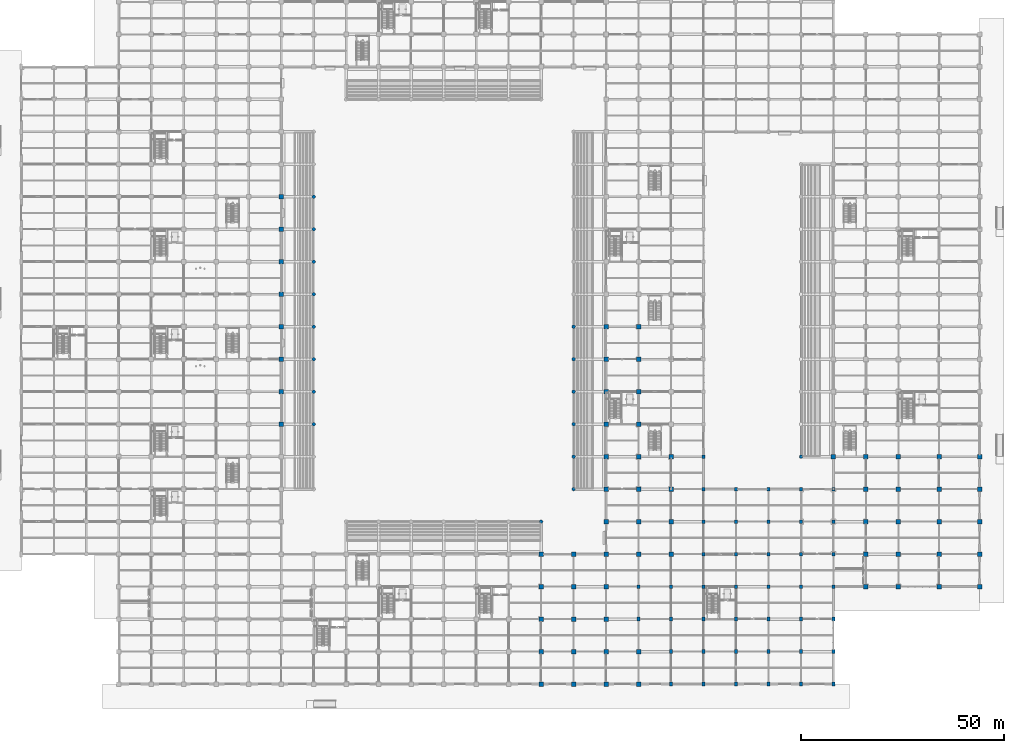
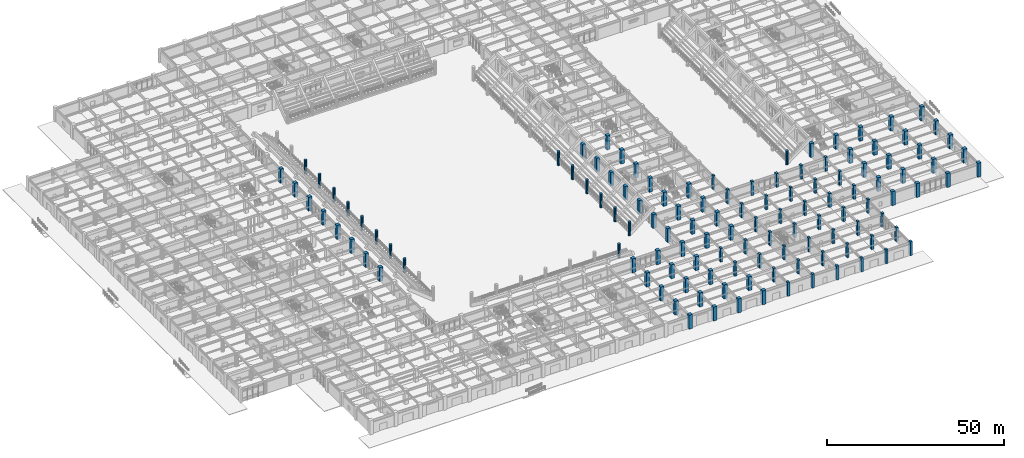
# One storey, part 10 of 125: 123 columns.
"""IFC4 building model written with IfcOpenShell, lengths in metres."""

from ifc_helpers import new_model, si_unit, direction, frame, origin, origin_2d, place, context, subcontext, project, spatial, rectangle, circle, extrude, material, material_profile, profile_set, type_object, element, save


model = new_model("IFC4")

# Units and contexts
model_context = context("Model", 3, precision=1e-05, world=origin(), true_north=direction((0.0, 1.0)))
body_context = subcontext(model_context, "Body", "Model", "MODEL_VIEW")
ifc_project = project(units=[si_unit("LENGTHUNIT", "METRE"), si_unit("AREAUNIT", "SQUARE_METRE"), si_unit("VOLUMEUNIT", "CUBIC_METRE"), si_unit("PLANEANGLEUNIT", "RADIAN"), si_unit("MASSUNIT", "GRAM", prefix="KILO")], contexts=[model_context])

# Site, building, storey
site_placement = place(None, origin())
site = spatial("IfcSite", under=ifc_project, at=site_placement, CompositionType="ELEMENT")
building_placement = place(site_placement, origin())
building = spatial("IfcBuilding", under=site, at=building_placement, Name="Haebicheon Civic Stadium", CompositionType="ELEMENT")
storey_placement = place(building_placement, origin())
storey = spatial("IfcBuildingStorey", under=building, at=storey_placement, Name="L01", CompositionType="ELEMENT", Elevation=0.0)

# Columns
ifc_material_1 = material(Name="Concrete C40/50", Category="concrete")
ifc_material_profile_1 = material_profile(ifc_material_1, rectangle(XDim=1.10009765625, YDim=1.10009765625, at=origin_2d()), Name="RC-COL-1100x1100")
ifc_profile_set_1 = profile_set([ifc_material_profile_1], Name="Concrete C40/50")
column_type_1 = type_object("IfcColumnType", Name="COL-RC-1100", PredefinedType="COLUMN", material=ifc_profile_set_1)
for number, where, z_axis, x_axis, name in (
    (1, (64.0, 64.0, 0.0), (0.0, 0.0, 1.0), (1.0, 0.0, 0.0), "L01 column 9/J"),
    (2, (64.0, 72.0, 0.0), (0.0, 0.0, 1.0), (1.0, 0.0, 0.0), "L01 column 9/K"),
    (3, (64.0, 80.0, 0.0), (0.0, 0.0, 1.0), (1.0, 0.0, 0.0), "L01 column 9/L"),
    (4, (64.0, 88.0, 0.0), (0.0, 0.0, 1.0), (1.0, 0.0, 0.0), "L01 column 9/M"),
    (5, (64.0, 96.0, 0.0), (0.0, 0.0, 1.0), (1.0, 0.0, 0.0), "L01 column 9/N"),
    (6, (64.0, 104.0, 0.0), (0.0, 0.0, 1.0), (1.0, 0.0, 0.0), "L01 column 9/P"),
    (7, (64.0, 112.0, 0.0), (0.0, 0.0, 1.0), (1.0, 0.0, 0.0), "L01 column 9/Q"),
    (8, (64.0, 120.0, 0.0), (0.0, 0.0, 1.0), (1.0, 0.0, 0.0), "L01 column 9/R"),
    (9, (128.0, 0.0, 0.0), (0.0, 0.0, 1.0), (1.0, 0.0, 0.0), "L01 column 17/A"),
    (10, (128.0, 8.0, 0.0), (0.0, 0.0, 1.0), (1.0, 0.0, 0.0), "L01 column 17/B"),
    (11, (128.0, 16.0, 0.0), (0.0, 0.0, 1.0), (1.0, 0.0, 0.0), "L01 column 17/C"),
    (12, (128.0, 24.0, 0.0), (0.0, 0.0, 1.0), (1.0, 0.0, 0.0), "L01 column 17/D"),
    (13, (128.0, 32.0, 0.0), (0.0, 0.0, 1.0), (1.0, 0.0, 0.0), "L01 column 17/E"),
    (14, (136.0, 0.0, 0.0), (0.0, 0.0, 1.0), (1.0, 0.0, 0.0), "L01 column 18/A"),
    (15, (136.0, 8.0, 0.0), (0.0, 0.0, 1.0), (1.0, 0.0, 0.0), "L01 column 18/B"),
    (16, (136.0, 16.0, 0.0), (0.0, 0.0, 1.0), (1.0, 0.0, 0.0), "L01 column 18/C"),
    (17, (136.0, 24.0, 0.0), (0.0, 0.0, 1.0), (1.0, 0.0, 0.0), "L01 column 18/D"),
    (18, (136.0, 32.0, 0.0), (0.0, 0.0, 1.0), (1.0, 0.0, 0.0), "L01 column 18/E"),
    (19, (144.0, 0.0, 0.0), (0.0, 0.0, 1.0), (1.0, 0.0, 0.0), "L01 column 19/A"),
    (20, (144.0, 8.0, 0.0), (0.0, 0.0, 1.0), (1.0, 0.0, 0.0), "L01 column 19/B"),
    (21, (144.0, 16.0, 0.0), (0.0, 0.0, 1.0), (1.0, 0.0, 0.0), "L01 column 19/C"),
    (22, (144.0, 24.0, 0.0), (0.0, 0.0, 1.0), (1.0, 0.0, 0.0), "L01 column 19/D"),
    (23, (144.0, 32.0, 0.0), (0.0, 0.0, 1.0), (1.0, 0.0, 0.0), "L01 column 19/E"),
    (24, (144.0, 40.0, 0.0), (0.0, 0.0, 1.0), (1.0, 0.0, 0.0), "L01 column 19/F"),
    (25, (144.0, 48.0, 0.0), (0.0, 0.0, 1.0), (1.0, 0.0, 0.0), "L01 column 19/G"),
    (26, (144.0, 56.0, 0.0), (0.0, 0.0, 1.0), (1.0, 0.0, 0.0), "L01 column 19/H"),
    (27, (144.0, 64.0, 0.0), (0.0, 0.0, 1.0), (1.0, 0.0, 0.0), "L01 column 19/J"),
    (28, (144.0, 72.0, 0.0), (0.0, 0.0, 1.0), (1.0, 0.0, 0.0), "L01 column 19/K"),
    (29, (144.0, 80.0, 0.0), (0.0, 0.0, 1.0), (1.0, 0.0, 0.0), "L01 column 19/L"),
    (30, (144.0, 88.0, 0.0), (0.0, 0.0, 1.0), (1.0, 0.0, 0.0), "L01 column 19/M"),
    (31, (152.0, 0.0, 0.0), (0.0, 0.0, 1.0), (1.0, 0.0, 0.0), "L01 column 20/A"),
    (32, (152.0, 8.0, 0.0), (0.0, 0.0, 1.0), (1.0, 0.0, 0.0), "L01 column 20/B"),
    (33, (152.0, 32.0, 0.0), (0.0, 0.0, 1.0), (1.0, 0.0, 0.0), "L01 column 20/E"),
    (34, (152.0, 40.0, 0.0), (0.0, 0.0, 1.0), (1.0, 0.0, 0.0), "L01 column 20/F"),
    (35, (152.0, 48.0, 0.0), (0.0, 0.0, 1.0), (1.0, 0.0, 0.0), "L01 column 20/G"),
    (36, (152.0, 56.0, 0.0), (0.0, 0.0, 1.0), (1.0, 0.0, 0.0), "L01 column 20/H"),
    (37, (152.0, 64.0, 0.0), (0.0, 0.0, 1.0), (1.0, 0.0, 0.0), "L01 column 20/J"),
    (38, (152.0, 72.0, 0.0), (0.0, 0.0, 1.0), (1.0, 0.0, 0.0), "L01 column 20/K"),
    (39, (152.0, 80.0, 0.0), (0.0, 0.0, 1.0), (1.0, 0.0, 0.0), "L01 column 20/L"),
    (40, (152.0, 88.0, 0.0), (0.0, 0.0, 1.0), (1.0, 0.0, 0.0), "L01 column 20/M"),
    (41, (160.0, 32.0, 0.0), (0.0, 0.0, 1.0), (1.0, 0.0, 0.0), "L01 column 21/E"),
    (42, (160.0, 40.0, 0.0), (0.0, 0.0, 1.0), (1.0, 0.0, 0.0), "L01 column 21/F"),
    (43, (160.0, 48.0, 0.0), (0.0, 0.0, 1.0), (1.0, 0.0, 0.0), "L01 column 21/G"),
    (44, (160.0, 56.0, 0.0), (0.0, 0.0, 1.0), (1.0, 0.0, 0.0), "L01 column 21/H"),
    (45, (200.0, 56.0, 0.0), (0.0, 0.0, 1.0), (1.0, 0.0, 0.0), "L01 column 26/H"),
    (46, (208.0, 24.0, 0.0), (0.0, 0.0, 1.0), (1.0, 0.0, 0.0), "L01 column 27/D"),
    (47, (208.0, 32.0, 0.0), (0.0, 0.0, 1.0), (1.0, 0.0, 0.0), "L01 column 27/E"),
    (48, (208.0, 40.0, 0.0), (0.0, 0.0, 1.0), (1.0, 0.0, 0.0), "L01 column 27/F"),
    (49, (208.0, 48.0, 0.0), (0.0, 0.0, 1.0), (1.0, 0.0, 0.0), "L01 column 27/G"),
    (50, (208.0, 56.0, 0.0), (0.0, 0.0, 1.0), (1.0, 0.0, 0.0), "L01 column 27/H"),
    (51, (216.0, 24.0, 0.0), (0.0, 0.0, 1.0), (1.0, 0.0, 0.0), "L01 column 28/D"),
    (52, (216.0, 32.0, 0.0), (0.0, 0.0, 1.0), (1.0, 0.0, 0.0), "L01 column 28/E"),
    (53, (216.0, 40.0, 0.0), (0.0, 0.0, 1.0), (1.0, 0.0, 0.0), "L01 column 28/F"),
    (54, (216.0, 48.0, 0.0), (0.0, 0.0, 1.0), (1.0, 0.0, 0.0), "L01 column 28/G"),
    (55, (216.0, 56.0, 0.0), (0.0, 0.0, 1.0), (1.0, 0.0, 0.0), "L01 column 28/H"),
    (56, (226.0, 24.0, 0.0), (0.0, 0.0, 1.0), (1.0, 0.0, 0.0), "L01 column 29/D"),
    (57, (226.0, 32.0, 0.0), (0.0, 0.0, 1.0), (1.0, 0.0, 0.0), "L01 column 29/E"),
    (58, (226.0, 40.0, 0.0), (0.0, 0.0, 1.0), (1.0, 0.0, 0.0), "L01 column 29/F"),
    (59, (226.0, 48.0, 0.0), (0.0, 0.0, 1.0), (1.0, 0.0, 0.0), "L01 column 29/G"),
    (60, (226.0, 56.0, 0.0), (0.0, 0.0, 1.0), (1.0, 0.0, 0.0), "L01 column 29/H"),
    (61, (236.0, 24.0, 0.0), (0.0, 0.0, 1.0), (1.0, 0.0, 0.0), "L01 column 30/D"),
    (62, (236.0, 32.0, 0.0), (0.0, 0.0, 1.0), (1.0, 0.0, 0.0), "L01 column 30/E"),
    (63, (236.0, 40.0, 0.0), (0.0, 0.0, 1.0), (1.0, 0.0, 0.0), "L01 column 30/F"),
    (64, (236.0, 48.0, 0.0), (0.0, 0.0, 1.0), (1.0, 0.0, 0.0), "L01 column 30/G"),
    (65, (236.0, 56.0, 0.0), (0.0, 0.0, 1.0), (1.0, 0.0, 0.0), "L01 column 30/H"),
):
    element("IfcColumn", number, at=place(storey_placement, frame(where, z_axis=z_axis, x_axis=x_axis)), inside=storey, type_object=column_type_1, material=ifc_profile_set_1, Name=name, PredefinedType="COLUMN", context=body_context, shape_type="SweptSolid", body=[
        extrude(rectangle(XDim=1.10009765625, YDim=1.10009765625, at=origin_2d()), origin(), (0.0, 0.0, 1.0), 4.800048828125),
    ])
ifc_material_2 = material(Name="Concrete C40/50", Category="concrete")
ifc_material_profile_2 = material_profile(ifc_material_2, rectangle(XDim=0.699951171875, YDim=0.89990234375, at=origin_2d()), Name="RC-COL-900x700")
ifc_profile_set_2 = profile_set([ifc_material_profile_2], Name="Concrete C40/50")
column_type_2 = type_object("IfcColumnType", Name="COL-RC-900x700", PredefinedType="COLUMN", material=ifc_profile_set_2)
for number, where, z_axis, x_axis, name in (
    (66, (152.0, 16.0, 0.0), (0.0, 0.0, 1.0), (1.0, 0.0, 0.0), "L01 column 20/C"),
    (67, (152.0, 24.0, 0.0), (0.0, 0.0, 1.0), (1.0, 0.0, 0.0), "L01 column 20/D"),
    (68, (160.0, 0.0, 0.0), (0.0, 0.0, 1.0), (1.0, 0.0, 0.0), "L01 column 21/A"),
    (69, (160.0, 8.0, 0.0), (0.0, 0.0, 1.0), (1.0, 0.0, 0.0), "L01 column 21/B"),
    (70, (160.0, 16.0, 0.0), (0.0, 0.0, 1.0), (1.0, 0.0, 0.0), "L01 column 21/C"),
    (71, (160.0, 24.0, 0.0), (0.0, 0.0, 1.0), (1.0, 0.0, 0.0), "L01 column 21/D"),
    (72, (168.0, 0.0, 0.0), (0.0, 0.0, 1.0), (1.0, 0.0, 0.0), "L01 column 22/A"),
    (73, (168.0, 8.0, 0.0), (0.0, 0.0, 1.0), (1.0, 0.0, 0.0), "L01 column 22/B"),
    (74, (168.0, 16.0, 0.0), (0.0, 0.0, 1.0), (1.0, 0.0, 0.0), "L01 column 22/C"),
    (75, (168.0, 24.0, 0.0), (0.0, 0.0, 1.0), (1.0, 0.0, 0.0), "L01 column 22/D"),
    (76, (168.0, 32.0, 0.0), (0.0, 0.0, 1.0), (1.0, 0.0, 0.0), "L01 column 22/E"),
    (77, (168.0, 40.0, 0.0), (0.0, 0.0, 1.0), (1.0, 0.0, 0.0), "L01 column 22/F"),
    (78, (168.0, 48.0, 0.0), (0.0, 0.0, 1.0), (1.0, 0.0, 0.0), "L01 column 22/G"),
    (79, (168.0, 56.0, 0.0), (0.0, 0.0, 1.0), (1.0, 0.0, 0.0), "L01 column 22/H"),
    (80, (176.0, 0.0, 0.0), (0.0, 0.0, 1.0), (1.0, 0.0, 0.0), "L01 column 23/A"),
    (81, (176.0, 8.0, 0.0), (0.0, 0.0, 1.0), (1.0, 0.0, 0.0), "L01 column 23/B"),
    (82, (176.0, 16.0, 0.0), (0.0, 0.0, 1.0), (1.0, 0.0, 0.0), "L01 column 23/C"),
    (83, (176.0, 24.0, 0.0), (0.0, 0.0, 1.0), (1.0, 0.0, 0.0), "L01 column 23/D"),
    (84, (176.0, 32.0, 0.0), (0.0, 0.0, 1.0), (1.0, 0.0, 0.0), "L01 column 23/E"),
    (85, (176.0, 40.0, 0.0), (0.0, 0.0, 1.0), (1.0, 0.0, 0.0), "L01 column 23/F"),
    (86, (176.0, 48.0, 0.0), (0.0, 0.0, 1.0), (1.0, 0.0, 0.0), "L01 column 23/G"),
    (87, (184.0, 0.0, 0.0), (0.0, 0.0, 1.0), (1.0, 0.0, 0.0), "L01 column 24/A"),
    (88, (184.0, 8.0, 0.0), (0.0, 0.0, 1.0), (1.0, 0.0, 0.0), "L01 column 24/B"),
    (89, (184.0, 16.0, 0.0), (0.0, 0.0, 1.0), (1.0, 0.0, 0.0), "L01 column 24/C"),
    (90, (184.0, 24.0, 0.0), (0.0, 0.0, 1.0), (1.0, 0.0, 0.0), "L01 column 24/D"),
    (91, (184.0, 32.0, 0.0), (0.0, 0.0, 1.0), (1.0, 0.0, 0.0), "L01 column 24/E"),
    (92, (184.0, 40.0, 0.0), (0.0, 0.0, 1.0), (1.0, 0.0, 0.0), "L01 column 24/F"),
    (93, (184.0, 48.0, 0.0), (0.0, 0.0, 1.0), (1.0, 0.0, 0.0), "L01 column 24/G"),
    (94, (192.0, 0.0, 0.0), (0.0, 0.0, 1.0), (1.0, 0.0, 0.0), "L01 column 25/A"),
    (95, (192.0, 8.0, 0.0), (0.0, 0.0, 1.0), (1.0, 0.0, 0.0), "L01 column 25/B"),
    (96, (192.0, 16.0, 0.0), (0.0, 0.0, 1.0), (1.0, 0.0, 0.0), "L01 column 25/C"),
    (97, (192.0, 24.0, 0.0), (0.0, 0.0, 1.0), (1.0, 0.0, 0.0), "L01 column 25/D"),
    (98, (192.0, 32.0, 0.0), (0.0, 0.0, 1.0), (1.0, 0.0, 0.0), "L01 column 25/E"),
    (99, (192.0, 40.0, 0.0), (0.0, 0.0, 1.0), (1.0, 0.0, 0.0), "L01 column 25/F"),
    (100, (192.0, 48.0, 0.0), (0.0, 0.0, 1.0), (1.0, 0.0, 0.0), "L01 column 25/G"),
    (101, (200.0, 0.0, 0.0), (0.0, 0.0, 1.0), (1.0, 0.0, 0.0), "L01 column 26/A"),
    (102, (200.0, 8.0, 0.0), (0.0, 0.0, 1.0), (1.0, 0.0, 0.0), "L01 column 26/B"),
    (103, (200.0, 16.0, 0.0), (0.0, 0.0, 1.0), (1.0, 0.0, 0.0), "L01 column 26/C"),
    (104, (200.0, 24.0, 0.0), (0.0, 0.0, 1.0), (1.0, 0.0, 0.0), "L01 column 26/D"),
    (105, (200.0, 32.0, 0.0), (0.0, 0.0, 1.0), (1.0, 0.0, 0.0), "L01 column 26/E"),
    (106, (200.0, 40.0, 0.0), (0.0, 0.0, 1.0), (1.0, 0.0, 0.0), "L01 column 26/F"),
    (107, (200.0, 48.0, 0.0), (0.0, 0.0, 1.0), (1.0, 0.0, 0.0), "L01 column 26/G"),
):
    element("IfcColumn", number, at=place(storey_placement, frame(where, z_axis=z_axis, x_axis=x_axis)), inside=storey, type_object=column_type_2, material=ifc_profile_set_2, Name=name, PredefinedType="COLUMN", context=body_context, shape_type="SweptSolid", body=[
        extrude(rectangle(XDim=0.699951171875, YDim=0.89990234375, at=origin_2d()), origin(), (0.0, 0.0, 1.0), 4.800048828125),
    ])
ifc_material_3 = material(Name="Concrete C40/50", Category="concrete")
ifc_material_profile_3 = material_profile(ifc_material_3, circle(Radius=0.425048828125, at=origin_2d()), Name="RC-COL-D850")
ifc_profile_set_3 = profile_set([ifc_material_profile_3], Name="Concrete C40/50")
column_type_3 = type_object("IfcColumnType", Name="COL-RC-D850", PredefinedType="COLUMN", material=ifc_profile_set_3)
for number, where, z_axis, x_axis, name in (
    (108, (72.0, 64.0, 0.0), (0.0, 0.0, 1.0), (1.0, 0.0, 0.0), "Bowl/canopy support column 72/64 (L01)"),
    (109, (72.0, 72.0, 0.0), (0.0, 0.0, 1.0), (1.0, 0.0, 0.0), "Bowl/canopy support column 72/72 (L01)"),
    (110, (72.0, 80.0, 0.0), (0.0, 0.0, 1.0), (1.0, 0.0, 0.0), "Bowl/canopy support column 72/80 (L01)"),
    (111, (72.0, 88.0, 0.0), (0.0, 0.0, 1.0), (1.0, 0.0, 0.0), "Bowl/canopy support column 72/88 (L01)"),
    (112, (72.0, 96.0, 0.0), (0.0, 0.0, 1.0), (1.0, 0.0, 0.0), "Bowl/canopy support column 72/96 (L01)"),
    (113, (72.0, 104.0, 0.0), (0.0, 0.0, 1.0), (1.0, 0.0, 0.0), "Bowl/canopy support column 72/104 (L01)"),
    (114, (72.0, 112.0, 0.0), (0.0, 0.0, 1.0), (1.0, 0.0, 0.0), "Bowl/canopy support column 72/112 (L01)"),
    (115, (72.0, 120.0, 0.0), (0.0, 0.0, 1.0), (1.0, 0.0, 0.0), "Bowl/canopy support column 72/120 (L01)"),
    (116, (136.0, 48.0, 0.0), (0.0, 0.0, 1.0), (1.0, 0.0, 0.0), "Bowl/canopy support column 136/48 (L01)"),
    (117, (136.0, 56.0, 0.0), (0.0, 0.0, 1.0), (1.0, 0.0, 0.0), "Bowl/canopy support column 136/56 (L01)"),
    (118, (136.0, 64.0, 0.0), (0.0, 0.0, 1.0), (1.0, 0.0, 0.0), "Bowl/canopy support column 136/64 (L01)"),
    (119, (136.0, 72.0, 0.0), (0.0, 0.0, 1.0), (1.0, 0.0, 0.0), "Bowl/canopy support column 136/72 (L01)"),
    (120, (136.0, 80.0, 0.0), (0.0, 0.0, 1.0), (1.0, 0.0, 0.0), "Bowl/canopy support column 136/80 (L01)"),
    (121, (136.0, 88.0, 0.0), (0.0, 0.0, 1.0), (1.0, 0.0, 0.0), "Bowl/canopy support column 136/88 (L01)"),
    (122, (128.0, 40.0, 0.0), (0.0, 0.0, 1.0), (1.0, 0.0, 0.0), "Bowl/canopy support column 128/40 (L01)"),
    (123, (192.0, 56.0, 0.0), (0.0, 0.0, 1.0), (1.0, 0.0, 0.0), "Bowl/canopy support column 192/56 (L01)"),
):
    element("IfcColumn", number, at=place(storey_placement, frame(where, z_axis=z_axis, x_axis=x_axis)), inside=storey, type_object=column_type_3, material=ifc_profile_set_3, Name=name, PredefinedType="COLUMN", context=body_context, shape_type="SweptSolid", body=[
        extrude(circle(Radius=0.425048828125, at=origin_2d()), origin(), (0.0, 0.0, 1.0), 4.800048828125),
    ])

save(model, "model.ifc")
